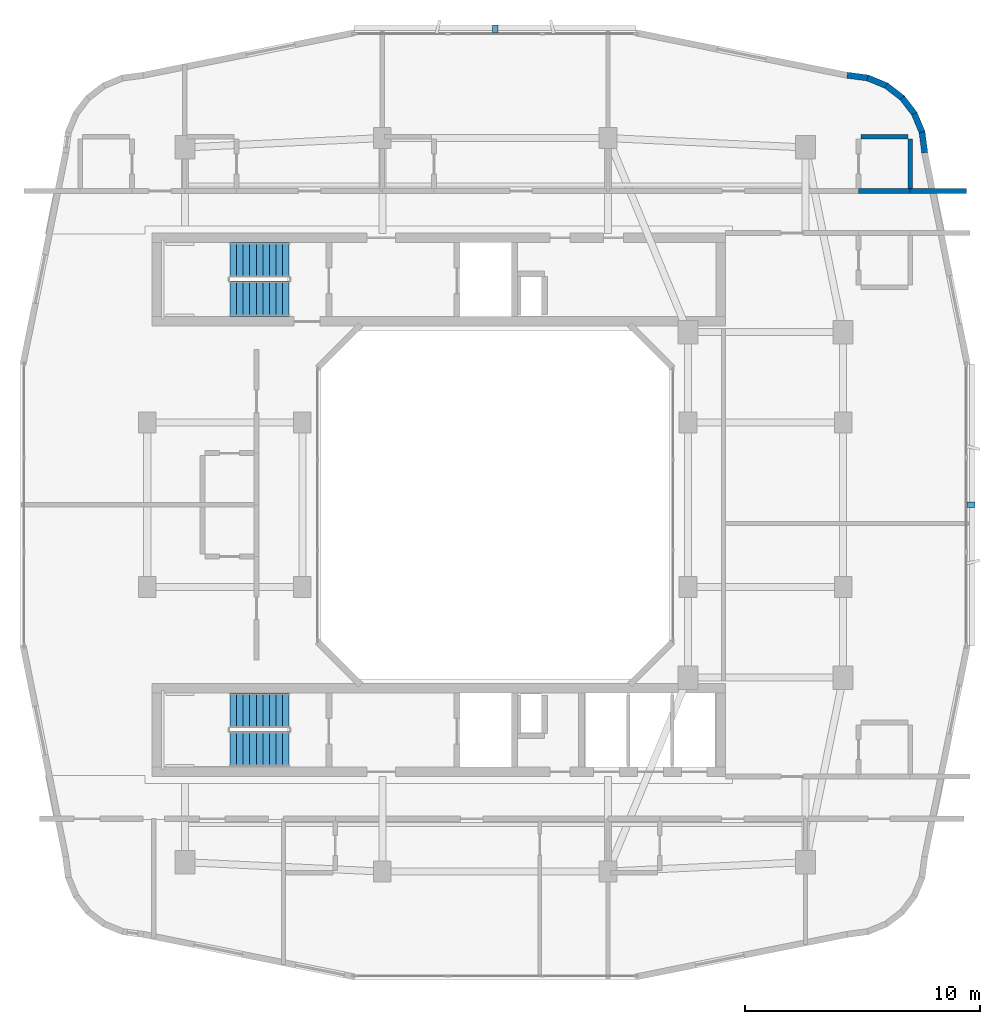
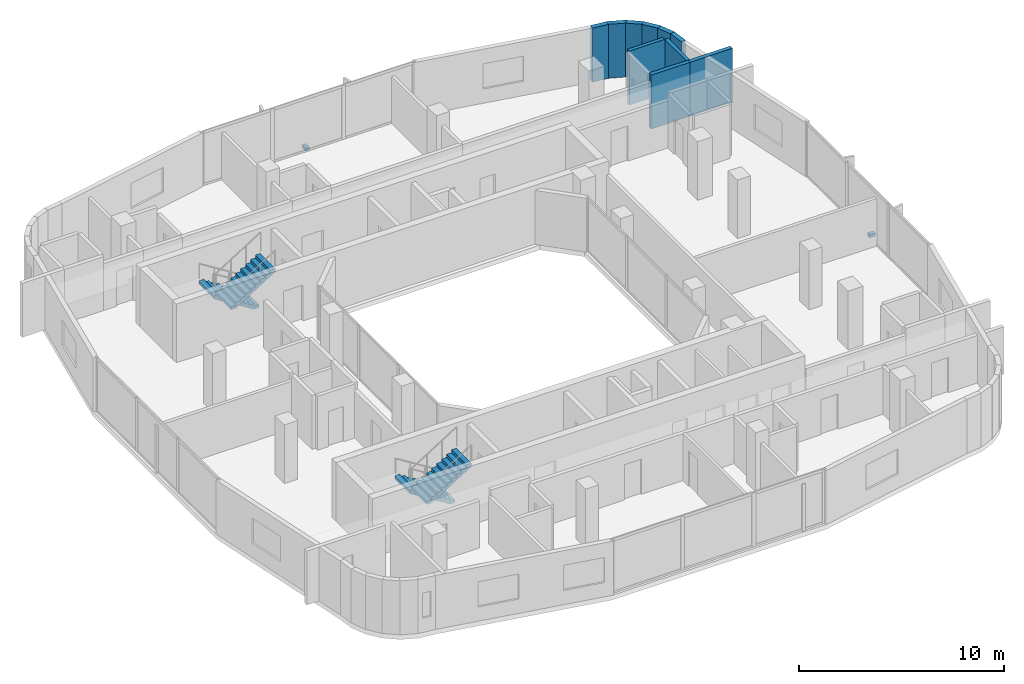
# One storey, part 10 of 14: 10 walls, 4 stair flights, 2 discrete accessories, 2 elements without a shape of their own.
"""IFC4 building model written with IfcOpenShell, lengths in metres."""

from ifc_helpers import new_model, si_unit, derived_unit, direction, frame, frame_2d, origin, origin_2d, place, context, subcontext, project, spatial, polyline, rectangle, outline, extrude, material, layer, layer_set, type_object, element, aggregate, save


model = new_model("IFC4")

# Units and contexts
model_context = context("Model", 3, precision=1e-05, world=origin(), true_north=direction((0.0, 1.0)))
body_context = subcontext(model_context, "Body", "Model", "MODEL_VIEW")
ifc_project = project(units=[si_unit("LENGTHUNIT", "METRE"), si_unit("AREAUNIT", "SQUARE_METRE"), si_unit("VOLUMEUNIT", "CUBIC_METRE"), si_unit("PLANEANGLEUNIT", "RADIAN"), si_unit("MASSUNIT", "GRAM", prefix="KILO"), derived_unit("THERMALTRANSMITTANCEUNIT", [(si_unit("POWERUNIT", "WATT"), 1), (si_unit("LENGTHUNIT", "METRE"), -2), (si_unit("THERMODYNAMICTEMPERATUREUNIT", "KELVIN"), -1)])], contexts=[model_context])

# Site, building, storey
site_placement = place(None, origin())
site = spatial("IfcSite", under=ifc_project, at=site_placement, CompositionType="ELEMENT")
building_placement = place(site_placement, origin())
building = spatial("IfcBuilding", under=site, at=building_placement, Name="Kivonza Crest Hotel", CompositionType="ELEMENT")
storey_placement = place(building_placement, frame((0.0, 0.0, 159.0)))
storey = spatial("IfcBuildingStorey", under=building, at=storey_placement, Name="L43", CompositionType="ELEMENT", Elevation=159.0)

# Walls
ifc_material_1 = material(Name="Autoclaved aerated concrete blockwork", Category="masonry")
ifc_layer_1 = layer(ifc_material_1, 0.219970703125)
ifc_layer_set_1 = layer_set([ifc_layer_1], Name="Autoclaved aerated concrete blockwork")
wall_type_1 = type_object("IfcWallType", Name="WL-ACOU-220", PredefinedType="SOLIDWALL", material=ifc_layer_set_1)
wall_1_placement = place(storey_placement, frame((38.64990234375, 38.35009765625, 0.0), z_axis=(0.0, 0.0, 1.0), x_axis=(1.0, 0.0, 0.0)))
element("IfcWall", 1, at=wall_1_placement, inside=storey, type_object=wall_type_1, Name="L43 interior partition WA-L43-N04-XCORR", PredefinedType="SOLIDWALL", context=body_context, shape_type="SweptSolid", body=[
    extrude(rectangle(XDim=2.39013671875, YDim=0.219970703125, at=frame_2d((1.195068359375, 0.0))), origin(), (0.0, 0.0, 1.0), 3.219970703125),
])
wall_2_placement = place(storey_placement, frame((36.449951171875, 38.35009765625, 0.0), z_axis=(0.0, 0.0, 1.0), x_axis=(1.0, 0.0, 0.0)))
element("IfcWall", 2, at=wall_2_placement, inside=storey, type_object=wall_type_1, Name="L43 interior partition WA-L43-N04-BCORR", PredefinedType="SOLIDWALL", context=body_context, shape_type="SweptSolid", body=[
    extrude(rectangle(XDim=2.199951171875, YDim=0.219970703125, at=frame_2d((1.10009765625, 0.0))), origin(), (0.0, 0.0, 1.0), 3.219970703125),
])
ifc_material_2 = material(Name="Precast concrete C40/50", Category="concrete")
ifc_layer_2 = layer(ifc_material_2, 0.260009765625)
ifc_layer_set_2 = layer_set([ifc_layer_2], Name="Precast concrete C40/50")
wall_type_2 = type_object("IfcWallType", Name="WL-EXT-260", PredefinedType="STANDARD", material=ifc_layer_set_2)
wall_3_placement = place(storey_placement, frame((39.27197265625, 39.97509765625, 0.0), z_axis=(0.0, 0.0, 1.0), x_axis=(-0.130953706898, 0.991388484223, 0.0)))
element("IfcWall", 3, at=wall_3_placement, inside=storey, type_object=wall_type_2, Name="L43 T1 exterior insulated wall 19", PredefinedType="STANDARD", context=body_context, shape_type="SweptSolid", body=[
    extrude(rectangle(XDim=0.885498046875, YDim=0.260009765625, at=frame_2d((0.44287109375, 0.0))), origin(), (0.0, 0.0, 1.0), 3.219970703125),
])
wall_4_placement = place(storey_placement, frame((39.174072265625, 40.806884765625, 0.0), z_axis=(0.0, 0.0, 1.0), x_axis=(-0.383290660547, 0.923627776508, 0.0)))
element("IfcWall", 4, at=wall_4_placement, inside=storey, type_object=wall_type_2, Name="L43 T1 exterior insulated wall 20", PredefinedType="STANDARD", context=body_context, shape_type="SweptSolid", body=[
    extrude(rectangle(XDim=0.9033203125, YDim=0.260009765625, at=frame_2d((0.45166015625, 0.0))), origin(), (0.0, 0.0, 1.0), 3.219970703125),
])
wall_5_placement = place(storey_placement, frame((38.85595703125, 41.60107421875, 0.0), z_axis=(0.0, 0.0, 1.0), x_axis=(-0.608624690463, 0.793458244748, 0.0)))
element("IfcWall", 5, at=wall_5_placement, inside=storey, type_object=wall_type_2, Name="L43 T1 exterior insulated wall 21", PredefinedType="STANDARD", context=body_context, shape_type="SweptSolid", body=[
    extrude(rectangle(XDim=0.902099609375, YDim=0.260009765625, at=frame_2d((0.451171875, 0.0))), origin(), (0.0, 0.0, 1.0), 3.219970703125),
])
wall_6_placement = place(storey_placement, frame((38.344970703125, 42.285888671875, 0.0), z_axis=(0.0, 0.0, 1.0), x_axis=(-0.793558456666, 0.608494022858, 0.0)))
element("IfcWall", 6, at=wall_6_placement, inside=storey, type_object=wall_type_2, Name="L43 T1 exterior insulated wall 22", PredefinedType="STANDARD", context=body_context, shape_type="SweptSolid", body=[
    extrude(rectangle(XDim=0.90234375, YDim=0.260009765625, at=frame_2d((0.451171875, 0.0))), origin(), (0.0, 0.0, 1.0), 3.219970703125),
])
wall_7_placement = place(storey_placement, frame((37.673095703125, 42.81396484375, 0.0), z_axis=(0.0, 0.0, 1.0), x_axis=(-0.923683767999, 0.383155708213, 0.0)))
element("IfcWall", 7, at=wall_7_placement, inside=storey, type_object=wall_type_2, Name="L43 T1 exterior insulated wall 23", PredefinedType="STANDARD", context=body_context, shape_type="SweptSolid", body=[
    extrude(rectangle(XDim=0.90283203125, YDim=0.260009765625, at=frame_2d((0.451416015625, 0.0))), origin(), (0.0, 0.0, 1.0), 3.219970703125),
])
wall_8_placement = place(storey_placement, frame((36.887939453125, 43.152099609375, 0.0), z_axis=(0.0, 0.0, 1.0), x_axis=(-0.991487658083, 0.130200706103, 0.0)))
element("IfcWall", 8, at=wall_8_placement, inside=storey, type_object=wall_type_2, Name="L43 T1 exterior insulated wall 24", PredefinedType="STANDARD", context=body_context, shape_type="SweptSolid", body=[
    extrude(rectangle(XDim=0.920654296875, YDim=0.260009765625, at=frame_2d((0.46044921875, 0.0))), origin(), (0.0, 0.0, 1.0), 3.219970703125),
])
ifc_material_3 = material(Name="Moisture-resistant plumbing chase partition wall", Category="gypsum")
ifc_layer_3 = layer(ifc_material_3, 0.199951171875)
ifc_layer_set_3 = layer_set([ifc_layer_3], Name="Moisture-resistant plumbing chase partition wall")
wall_type_3 = type_object("IfcWallType", Name="WL-PLUMB-200", PredefinedType="PLUMBINGWALL", material=ifc_layer_set_3)
wall_9_placement = place(storey_placement, frame((36.550048828125, 40.64990234375, 0.0), z_axis=(0.0, 0.0, 1.0), x_axis=(1.0, 0.0, 0.0)))
element("IfcWall", 9, at=wall_9_placement, inside=storey, type_object=wall_type_3, Name="L43 interior partition WW-L43-N04-BH", PredefinedType="PLUMBINGWALL", context=body_context, shape_type="SweptSolid", body=[
    extrude(rectangle(XDim=2.0, YDim=0.199951171875, at=frame_2d((1.0, 0.0))), origin(), (0.0, 0.0, 1.0), 3.219970703125),
])
wall_10_placement = place(storey_placement, frame((38.64990234375, 38.449951171875, 0.0), z_axis=(0.0, 0.0, 1.0), x_axis=(0.0, 1.0, 0.0)))
element("IfcWall", 10, at=wall_10_placement, inside=storey, type_object=wall_type_3, Name="L43 interior partition WW-L43-N04-BVE", PredefinedType="PLUMBINGWALL", context=body_context, shape_type="SweptSolid", body=[
    extrude(rectangle(XDim=2.10009765625, YDim=0.199951171875, at=frame_2d((1.050048828125, 0.0))), origin(), (0.0, 0.0, 1.0), 3.219970703125),
])

# Stair, stair flights
ifc_material_4 = material(Name="Concrete C40/50", Category="concrete")
stair_type = type_object("IfcStairType", Name="ST-DL-20R", PredefinedType="HALF_TURN_STAIR", material=ifc_material_4)
stair_1_placement = place(storey_placement, origin())
stair_1 = element("IfcStair", 11, at=stair_1_placement, inside=storey, type_object=stair_type, Name="L43 Protected Exit Stair ST-T1-N", PredefinedType="HALF_TURN_STAIR")
stair_flight_type = type_object("IfcStairFlightType", Name="SFL-RC-10R", PredefinedType="STRAIGHT", material=ifc_material_4)
stair_flight_1_placement = place(storey_placement, frame((12.239990234375, 35.409912109375, 0.0), z_axis=(0.0, 0.0, 1.0), x_axis=(-1.0, 0.0, 0.0)))
stair_flight_1 = element("IfcStairFlight", 12, at=stair_flight_1_placement, type_object=stair_flight_type, Name="ST-T1-N flight 1", NumberOfRisers=10, NumberOfTreads=9, PredefinedType="STRAIGHT", RiserHeight=0.175, TreadLength=0.28, context=body_context, shape_type="SweptSolid", body=[
    extrude(outline(polyline([(0.0, 0.0), (0.0, 0.175048828125), (0.280029296875, 0.175048828125), (0.280029296875, 0.35009765625), (0.56005859375, 0.35009765625), (0.56005859375, 0.52490234375), (0.840087890625, 0.52490234375), (0.840087890625, 0.699951171875), (1.1201171875, 0.699951171875), (1.1201171875, 0.875), (1.39990234375, 0.875), (1.39990234375, 1.050048828125), (1.679931640625, 1.050048828125), (1.679931640625, 1.22509765625), (1.9599609375, 1.22509765625), (1.9599609375, 1.39990234375), (2.239990234375, 1.39990234375), (2.239990234375, 1.574951171875), (2.52001953125, 1.574951171875), (2.52001953125, 1.75), (2.52001953125, 1.398193359375), (0.28271484375, 0.0), (0.0, 0.0)])), frame((0.0, 0.75, 0.0), z_axis=(0.0, -1.0, 0.0), x_axis=(1.0, 0.0, 0.0)), (0.0, 0.0, 1.0), 1.5),
])
stair_flight_2_placement = place(storey_placement, frame((9.719970703125, 33.77001953125, 1.75), z_axis=(0.0, 0.0, 1.0), x_axis=(1.0, 0.0, 0.0)))
stair_flight_2 = element("IfcStairFlight", 13, at=stair_flight_2_placement, type_object=stair_flight_type, Name="ST-T1-N flight 2", NumberOfRisers=10, NumberOfTreads=9, PredefinedType="STRAIGHT", RiserHeight=0.175, TreadLength=0.28, context=body_context, shape_type="SweptSolid", body=[
    extrude(outline(polyline([(0.0, 0.0), (0.0, 0.175048828125), (0.280029296875, 0.175048828125), (0.280029296875, 0.35009765625), (0.56005859375, 0.35009765625), (0.56005859375, 0.52490234375), (0.840087890625, 0.52490234375), (0.840087890625, 0.699951171875), (1.1201171875, 0.699951171875), (1.1201171875, 0.875), (1.39990234375, 0.875), (1.39990234375, 1.050048828125), (1.679931640625, 1.050048828125), (1.679931640625, 1.22509765625), (1.9599609375, 1.22509765625), (1.9599609375, 1.39990234375), (2.239990234375, 1.39990234375), (2.239990234375, 1.574951171875), (2.52001953125, 1.574951171875), (2.52001953125, 1.75), (2.52001953125, 1.398193359375), (0.28271484375, 0.0), (0.0, 0.0)])), frame((0.0, 0.75, 0.0), z_axis=(0.0, -1.0, 0.0), x_axis=(1.0, 0.0, 0.0)), (0.0, 0.0, 1.0), 1.5),
])
aggregate(stair_1, [stair_flight_1, stair_flight_2])

stair_2_placement = place(storey_placement, origin())
stair_2 = element("IfcStair", 14, at=stair_2_placement, inside=storey, type_object=stair_type, Name="L43 Protected Exit Stair ST-T1-S", PredefinedType="HALF_TURN_STAIR")
stair_flight_3_placement = place(storey_placement, frame((12.239990234375, 16.25, 0.0), z_axis=(0.0, 0.0, 1.0), x_axis=(-1.0, 0.0, 0.0)))
stair_flight_3 = element("IfcStairFlight", 15, at=stair_flight_3_placement, type_object=stair_flight_type, Name="ST-T1-S flight 1", NumberOfRisers=10, NumberOfTreads=9, PredefinedType="STRAIGHT", RiserHeight=0.175, TreadLength=0.28, context=body_context, shape_type="SweptSolid", body=[
    extrude(outline(polyline([(0.0, 0.0), (0.0, 0.175048828125), (0.280029296875, 0.175048828125), (0.280029296875, 0.35009765625), (0.56005859375, 0.35009765625), (0.56005859375, 0.52490234375), (0.840087890625, 0.52490234375), (0.840087890625, 0.699951171875), (1.1201171875, 0.699951171875), (1.1201171875, 0.875), (1.39990234375, 0.875), (1.39990234375, 1.050048828125), (1.679931640625, 1.050048828125), (1.679931640625, 1.22509765625), (1.9599609375, 1.22509765625), (1.9599609375, 1.39990234375), (2.239990234375, 1.39990234375), (2.239990234375, 1.574951171875), (2.52001953125, 1.574951171875), (2.52001953125, 1.75), (2.52001953125, 1.398193359375), (0.28271484375, 0.0), (0.0, 0.0)])), frame((0.0, 0.75, 0.0), z_axis=(0.0, -1.0, 0.0), x_axis=(1.0, 0.0, 0.0)), (0.0, 0.0, 1.0), 1.5),
])
stair_flight_4_placement = place(storey_placement, frame((9.719970703125, 14.610107421875, 1.75), z_axis=(0.0, 0.0, 1.0), x_axis=(1.0, 0.0, 0.0)))
stair_flight_4 = element("IfcStairFlight", 16, at=stair_flight_4_placement, type_object=stair_flight_type, Name="ST-T1-S flight 2", NumberOfRisers=10, NumberOfTreads=9, PredefinedType="STRAIGHT", RiserHeight=0.175, TreadLength=0.28, context=body_context, shape_type="SweptSolid", body=[
    extrude(outline(polyline([(0.0, 0.0), (0.0, 0.175048828125), (0.280029296875, 0.175048828125), (0.280029296875, 0.35009765625), (0.56005859375, 0.35009765625), (0.56005859375, 0.52490234375), (0.840087890625, 0.52490234375), (0.840087890625, 0.699951171875), (1.1201171875, 0.699951171875), (1.1201171875, 0.875), (1.39990234375, 0.875), (1.39990234375, 1.050048828125), (1.679931640625, 1.050048828125), (1.679931640625, 1.22509765625), (1.9599609375, 1.22509765625), (1.9599609375, 1.39990234375), (2.239990234375, 1.39990234375), (2.239990234375, 1.574951171875), (2.52001953125, 1.574951171875), (2.52001953125, 1.75), (2.52001953125, 1.398193359375), (0.28271484375, 0.0), (0.0, 0.0)])), frame((0.0, 0.75, 0.0), z_axis=(0.0, -1.0, 0.0), x_axis=(1.0, 0.0, 0.0)), (0.0, 0.0, 1.0), 1.5),
])
aggregate(stair_2, [stair_flight_3, stair_flight_4])

# Discrete accessories
ifc_material_5 = material(Name="Stainless steel 316", Category="steel")
discrete_accessory_type = type_object("IfcDiscreteAccessoryType", Name="AC-BRACKET-240", PredefinedType="BRACKET", material=ifc_material_5)
for number, where, z_axis, x_axis, name in (
    (17, (41.239990234375, 25.0, -0.009765625), (0.0, 0.0, 1.0), (0.0, 1.0, 0.0), "L43 terracotta baguette support bracket CW-T1-L43-17"),
    (18, (21.0, 45.239990234375, -0.009765625), (0.0, 0.0, 1.0), (-1.0, 0.0, 0.0), "L43 terracotta baguette support bracket CW-T1-L43-26"),
):
    element("IfcDiscreteAccessory", number, at=place(storey_placement, frame(where, z_axis=z_axis, x_axis=x_axis)), inside=storey, type_object=discrete_accessory_type, Name=name, PredefinedType="BRACKET", context=body_context, shape_type="SweptSolid", body=[
        extrude(rectangle(XDim=0.219970703125, YDim=0.340087890625, at=origin_2d()), origin(), (0.0, 0.0, 1.0), 0.179931640625),
    ])

save(model, "model.ifc")
